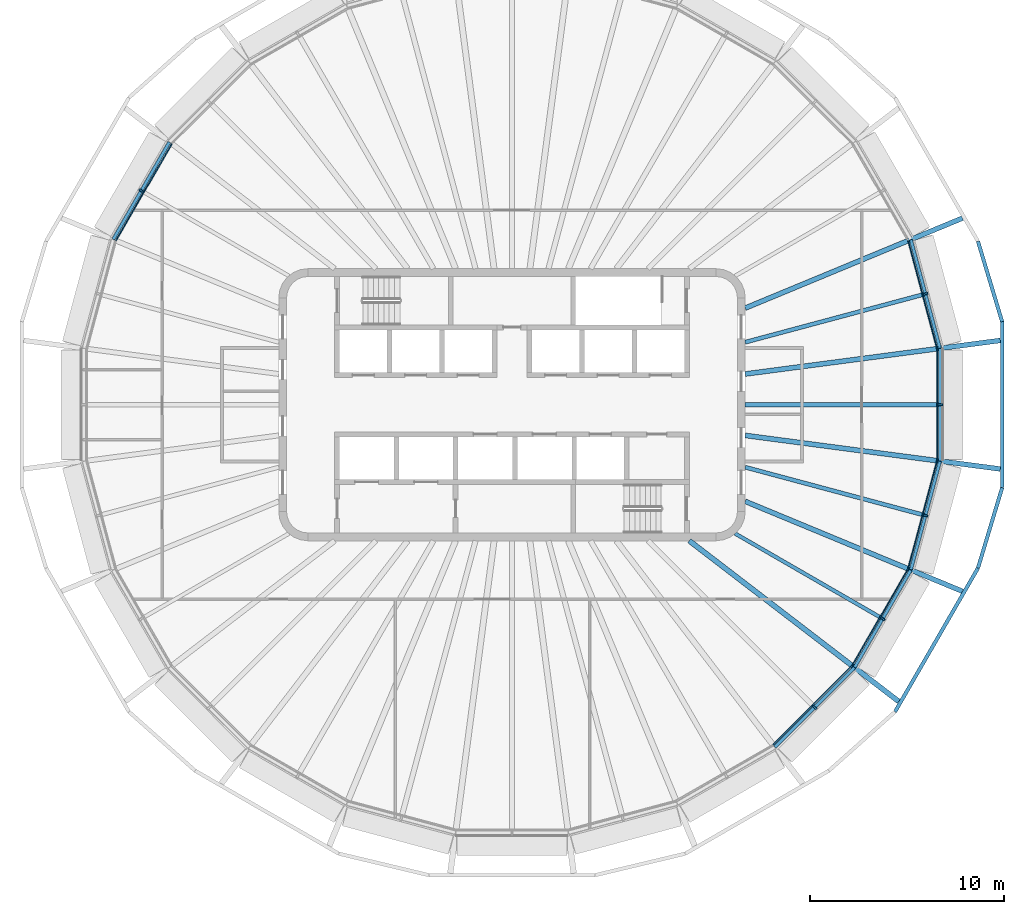
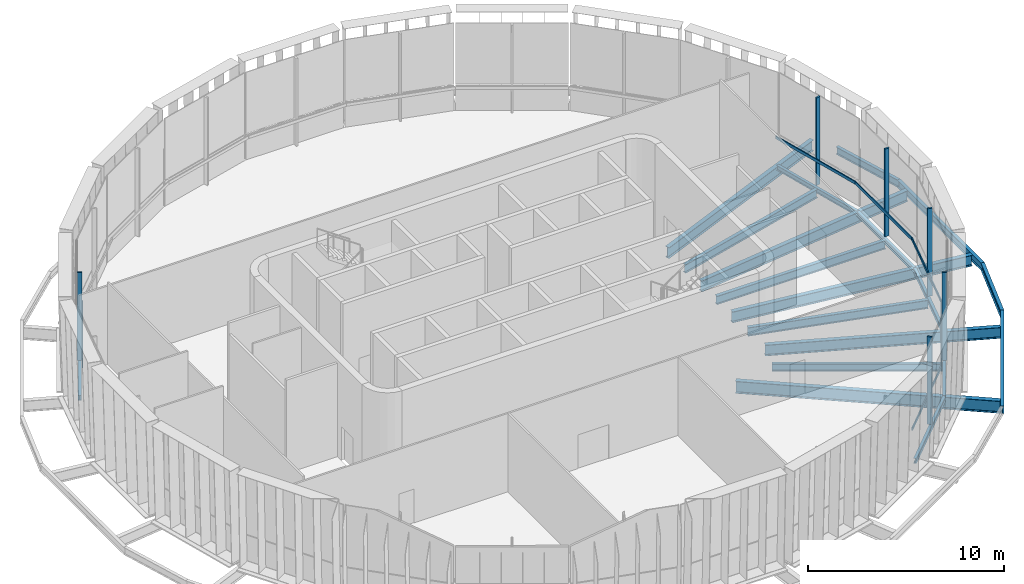
# One storey, part 3 of 14: 19 beams, 12 members, 6 elements without a shape of their own.
"""IFC4 building model written with IfcOpenShell, lengths in metres."""

from ifc_helpers import new_model, si_unit, direction, frame, origin, origin_2d, place, context, subcontext, project, spatial, rectangle, i_section, extrude, material, layer, layer_set, material_profile, profile_set, type_object, element, aggregate, save


model = new_model("IFC4")

# Units and contexts
model_context = context("Model", 3, precision=1e-05, world=origin(), true_north=direction((0.0, 1.0)))
body_context = subcontext(model_context, "Body", "Model", "MODEL_VIEW")
ifc_project = project(units=[si_unit("LENGTHUNIT", "METRE"), si_unit("AREAUNIT", "SQUARE_METRE"), si_unit("VOLUMEUNIT", "CUBIC_METRE"), si_unit("PLANEANGLEUNIT", "RADIAN"), si_unit("MASSUNIT", "GRAM", prefix="KILO")], contexts=[model_context])

# Site, building, storey
site_placement = place(None, origin())
site = spatial("IfcSite", under=ifc_project, at=site_placement, CompositionType="ELEMENT")
building_placement = place(site_placement, origin())
building = spatial("IfcBuilding", under=site, at=building_placement, Name="Sahrelin Media Tower", CompositionType="ELEMENT")
storey_placement = place(building_placement, frame((0.0, 0.0, 329.800048828125)))
storey = spatial("IfcBuildingStorey", under=building, at=storey_placement, Name="L73", CompositionType="ELEMENT", Elevation=329.800048828125)

# Beams
ifc_material_1 = material(Name="Steel S355", Category="steel")
ifc_material_profile_1 = material_profile(ifc_material_1, i_section(OverallWidth=0.1650390625, OverallDepth=0.303466796875, WebThickness=0.006103515625, FlangeThickness=0.01025390625, FilletRadius=0.0087890625, at=origin_2d()), Name="UB 305x165x40")
ifc_profile_set_1 = profile_set([ifc_material_profile_1], Name="Steel S355")
beam_type_1 = type_object("IfcBeamType", Name="Edge beam EB2", PredefinedType="BEAM", material=ifc_profile_set_1)
for number, where, z_axis, x_axis, name in (
    (1, (22.020751953125, 2.884521484375, -0.351806640625), (0.0, -1.0, 0.0), (1.0, 0.0, 0.0), "Edge beam L73-01"),
    (2, (22.01708984375, -2.9130859375, -0.351806640625), (-0.258821401611, -0.965925194861, 0.0), (0.965925194861, -0.258821401611, 0.0), "Edge beam L73-02"),
):
    element("IfcBeam", number, at=place(storey_placement, frame(where, z_axis=z_axis, x_axis=x_axis)), inside=storey, type_object=beam_type_1, Name=name, PredefinedType="BEAM", context=body_context, shape_type="SweptSolid", body=[
        extrude(i_section(OverallWidth=0.1650390625, OverallDepth=0.303466796875, WebThickness=0.006103515625, FlangeThickness=0.01025390625, FilletRadius=0.0087890625, at=origin_2d()), origin(), (0.0, 0.0, 1.0), 5.76904296875),
    ])
beam_1_placement = place(storey_placement, frame((20.512939453125, -8.51220703125, -0.351806640625), z_axis=(-0.499984979461, -0.866034075723, 0.0), x_axis=(0.866034075723, -0.499984979461, 0.0)))
element("IfcBeam", 3, at=beam_1_placement, inside=storey, type_object=beam_type_1, Name="Edge beam L73-03", PredefinedType="BEAM", context=body_context, shape_type="SweptSolid", body=[
    extrude(i_section(OverallWidth=0.1650390625, OverallDepth=0.303466796875, WebThickness=0.006103515625, FlangeThickness=0.01025390625, FilletRadius=0.0087890625, at=origin_2d()), origin(), (0.0, 0.0, 1.0), 5.769287109375),
])
beam_2_placement = place(storey_placement, frame((17.61083984375, -13.531494140625, -0.351806640625), z_axis=(-0.707106781187, -0.707106781187, 0.0), x_axis=(0.707106781187, -0.707106781187, 0.0)))
element("IfcBeam", 4, at=beam_2_placement, inside=storey, type_object=beam_type_1, Name="Edge beam L73-04", PredefinedType="BEAM", context=body_context, shape_type="SweptSolid", body=[
    extrude(i_section(OverallWidth=0.1650390625, OverallDepth=0.303466796875, WebThickness=0.006103515625, FlangeThickness=0.01025390625, FilletRadius=0.0087890625, at=origin_2d()), origin(), (0.0, 0.0, 1.0), 5.76904296875),
])
beam_3_placement = place(storey_placement, frame((-20.512939453125, 8.51220703125, -0.351806640625), z_axis=(0.499984979461, 0.866034075723, 0.0), x_axis=(-0.866034075723, 0.499984979461, 0.0)))
element("IfcBeam", 5, at=beam_3_placement, inside=storey, type_object=beam_type_1, Name="Edge beam L73-15", PredefinedType="BEAM", context=body_context, shape_type="SweptSolid", body=[
    extrude(i_section(OverallWidth=0.1650390625, OverallDepth=0.303466796875, WebThickness=0.006103515625, FlangeThickness=0.01025390625, FilletRadius=0.0087890625, at=origin_2d()), origin(), (0.0, 0.0, 1.0), 5.769287109375),
])
beam_4_placement = place(storey_placement, frame((20.52392578125, 8.485595703125, -0.351806640625), z_axis=(0.258821401611, -0.965925194861, 0.0), x_axis=(0.965925194861, 0.258821401611, 0.0)))
element("IfcBeam", 6, at=beam_4_placement, inside=storey, type_object=beam_type_1, Name="Edge beam L73-24", PredefinedType="BEAM", context=body_context, shape_type="SweptSolid", body=[
    extrude(i_section(OverallWidth=0.1650390625, OverallDepth=0.303466796875, WebThickness=0.006103515625, FlangeThickness=0.01025390625, FilletRadius=0.0087890625, at=origin_2d()), origin(), (0.0, 0.0, 1.0), 5.76904296875),
])

# Curtain wall, member
ifc_material_2 = material(Name="Champagne anodised aluminium 6063-T6", Category="aluminium")
ifc_layer = layer(ifc_material_2, 0.14990234375)
ifc_layer_set = layer_set([ifc_layer], Name="Observation curtain wall")
curtain_wall_type = type_object("IfcCurtainWallType", Name="Observation curtain wall", PredefinedType="NOTDEFINED", material=ifc_layer_set)
curtain_wall_1_placement = place(storey_placement, frame((22.1708984375, 0.0, 0.0), z_axis=(0.0, 0.0, 1.0), x_axis=(1.0, 0.0, 0.0)))
curtain_wall_1 = element("IfcCurtainWall", 7, at=curtain_wall_1_placement, inside=storey, type_object=curtain_wall_type, Name="L73:CW:L73-00", PredefinedType="NOTDEFINED")
ifc_material_profile_2 = material_profile(ifc_material_2, rectangle(XDim=0.10009765625, YDim=0.25, at=origin_2d()), Name="Mullion 100x250")
ifc_profile_set_2 = profile_set([ifc_material_profile_2], Name="Champagne anodised aluminium 6063-T6")
member_type_1 = type_object("IfcMemberType", Name="Mullion 100x250 CW3B", PredefinedType="MULLION", material=ifc_profile_set_2)
member_1_placement = place(storey_placement, frame((22.02587890625, 0.0, 0.0), z_axis=(0.0, 0.0, 1.0), x_axis=(0.0, 1.0, 0.0)))
member_1 = element("IfcMember", 8, at=member_1_placement, type_object=member_type_1, Name="L73:CWM:L73-00", PredefinedType="MULLION", context=body_context, shape_type="SweptSolid", body=[
    extrude(rectangle(XDim=0.10009765625, YDim=0.25, at=origin_2d()), origin(), (0.0, 0.0, 1.0), 5.448486328125),
])

curtain_wall_2_placement = place(storey_placement, frame((21.415283203125, 5.73828125, 0.0), z_axis=(0.0, 0.0, 1.0), x_axis=(1.0, 0.0, 0.0)))
curtain_wall_2 = element("IfcCurtainWall", 9, at=curtain_wall_2_placement, inside=storey, type_object=curtain_wall_type, Name="L73:CW:L73-01", PredefinedType="NOTDEFINED")
member_2_placement = place(storey_placement, frame((21.275390625, 5.70068359375, 0.0), z_axis=(0.0, 0.0, 1.0), x_axis=(-0.258817359244, 0.965926278012, 0.0)))
member_2 = element("IfcMember", 10, at=member_2_placement, type_object=member_type_1, Name="L73:CWM:L73-01", PredefinedType="MULLION", context=body_context, shape_type="SweptSolid", body=[
    extrude(rectangle(XDim=0.10009765625, YDim=0.25, at=origin_2d()), origin(), (0.0, 0.0, 1.0), 5.448486328125),
])

curtain_wall_3_placement = place(storey_placement, frame((-19.200439453125, 11.08544921875, 0.0), z_axis=(0.0, 0.0, 1.0), x_axis=(1.0, 0.0, 0.0)))
curtain_wall_3 = element("IfcCurtainWall", 11, at=curtain_wall_3_placement, inside=storey, type_object=curtain_wall_type, Name="L73:CW:L73-10", PredefinedType="NOTDEFINED")
member_3_placement = place(storey_placement, frame((-19.074951171875, 11.012939453125, 0.0), z_axis=(0.0, 0.0, 1.0), x_axis=(-0.49999395399, -0.866028894422, 0.0)))
member_3 = element("IfcMember", 12, at=member_3_placement, type_object=member_type_1, Name="L73:CWM:L73-10", PredefinedType="MULLION", context=body_context, shape_type="SweptSolid", body=[
    extrude(rectangle(XDim=0.10009765625, YDim=0.25, at=origin_2d()), origin(), (0.0, 0.0, 1.0), 5.448486328125),
])

curtain_wall_4_placement = place(storey_placement, frame((15.677001953125, -15.677001953125, 0.0), z_axis=(0.0, 0.0, 1.0), x_axis=(1.0, 0.0, 0.0)))
curtain_wall_4 = element("IfcCurtainWall", 13, at=curtain_wall_4_placement, inside=storey, type_object=curtain_wall_type, Name="L73:CW:L73-21", PredefinedType="NOTDEFINED")
member_4_placement = place(storey_placement, frame((15.57470703125, -15.57470703125, 0.0), z_axis=(0.0, 0.0, 1.0), x_axis=(0.707106781187, 0.707106781187, 0.0)))
member_4 = element("IfcMember", 14, at=member_4_placement, type_object=member_type_1, Name="L73:CWM:L73-21", PredefinedType="MULLION", context=body_context, shape_type="SweptSolid", body=[
    extrude(rectangle(XDim=0.10009765625, YDim=0.25, at=origin_2d()), origin(), (0.0, 0.0, 1.0), 5.448486328125),
])

curtain_wall_5_placement = place(storey_placement, frame((19.200439453125, -11.08544921875, 0.0), z_axis=(0.0, 0.0, 1.0), x_axis=(1.0, 0.0, 0.0)))
curtain_wall_5 = element("IfcCurtainWall", 15, at=curtain_wall_5_placement, inside=storey, type_object=curtain_wall_type, Name="L73:CW:L73-22", PredefinedType="NOTDEFINED")
member_5_placement = place(storey_placement, frame((19.074951171875, -11.012939453125, 0.0), z_axis=(0.0, 0.0, 1.0), x_axis=(0.49999395399, 0.866028894422, 0.0)))
member_5 = element("IfcMember", 16, at=member_5_placement, type_object=member_type_1, Name="L73:CWM:L73-22", PredefinedType="MULLION", context=body_context, shape_type="SweptSolid", body=[
    extrude(rectangle(XDim=0.10009765625, YDim=0.25, at=origin_2d()), origin(), (0.0, 0.0, 1.0), 5.448486328125),
])

curtain_wall_6_placement = place(storey_placement, frame((21.415283203125, -5.73828125, 0.0), z_axis=(0.0, 0.0, 1.0), x_axis=(1.0, 0.0, 0.0)))
curtain_wall_6 = element("IfcCurtainWall", 17, at=curtain_wall_6_placement, inside=storey, type_object=curtain_wall_type, Name="L73:CW:L73-23", PredefinedType="NOTDEFINED")
member_6_placement = place(storey_placement, frame((21.275390625, -5.70068359375, 0.0), z_axis=(0.0, 0.0, 1.0), x_axis=(0.258817359244, 0.965926278012, 0.0)))
member_6 = element("IfcMember", 18, at=member_6_placement, type_object=member_type_1, Name="L73:CWM:L73-23", PredefinedType="MULLION", context=body_context, shape_type="SweptSolid", body=[
    extrude(rectangle(XDim=0.10009765625, YDim=0.25, at=origin_2d()), origin(), (0.0, 0.0, 1.0), 5.448486328125),
])

# Beams
ifc_material_profile_3 = material_profile(ifc_material_1, i_section(OverallWidth=0.2529296875, OverallDepth=0.677978515625, WebThickness=0.01171875, FlangeThickness=0.01611328125, FilletRadius=0.01513671875, at=origin_2d()), Name="UB 686x254x125")
ifc_profile_set_3 = profile_set([ifc_material_profile_3], Name="Steel S355")
beam_type_2 = type_object("IfcBeamType", Name="Radial primary beam PB8", PredefinedType="BEAM", material=ifc_profile_set_3)
beam_5_placement = place(storey_placement, frame((12.0, 1.579833984375, -0.5390625), z_axis=(0.991445315132, 0.130522745537, 0.0), x_axis=(-0.130522745537, 0.991445315132, 0.0)))
element("IfcBeam", 19, at=beam_5_placement, inside=storey, type_object=beam_type_2, Name="Radial beam L73-01", PredefinedType="BEAM", context=body_context, shape_type="SweptSolid", body=[
    extrude(i_section(OverallWidth=0.2529296875, OverallDepth=0.677978515625, WebThickness=0.01171875, FlangeThickness=0.01611328125, FilletRadius=0.01513671875, at=origin_2d()), origin(), (0.0, 0.0, 1.0), 13.235595703125),
])
for number, where, z_axis, x_axis, name in (
    (20, (12.0, 4.970703125, -0.5390625), (0.923883491489, 0.382673874408, 0.0), (-0.382673874408, 0.923883491489, 0.0), "Radial beam L73-02"),
    (21, (12.0, -4.970703125, -0.5390625), (0.923883491489, -0.382673874408, 0.0), (0.382673874408, 0.923883491489, 0.0), "Radial beam L73-23"),
):
    element("IfcBeam", number, at=place(storey_placement, frame(where, z_axis=z_axis, x_axis=x_axis)), inside=storey, type_object=beam_type_2, Name=name, PredefinedType="BEAM", context=body_context, shape_type="SweptSolid", body=[
        extrude(i_section(OverallWidth=0.2529296875, OverallDepth=0.677978515625, WebThickness=0.01171875, FlangeThickness=0.01611328125, FilletRadius=0.01513671875, at=origin_2d()), origin(), (0.0, 0.0, 1.0), 12.094970703125),
    ])
beam_6_placement = place(storey_placement, frame((12.0, -1.579833984375, -0.5390625), z_axis=(0.991445315132, -0.130522745537, 0.0), x_axis=(0.130522745537, 0.991445315132, 0.0)))
element("IfcBeam", 22, at=beam_6_placement, inside=storey, type_object=beam_type_2, Name="Radial beam L73-24", PredefinedType="BEAM", context=body_context, shape_type="SweptSolid", body=[
    extrude(i_section(OverallWidth=0.2529296875, OverallDepth=0.677978515625, WebThickness=0.01171875, FlangeThickness=0.01611328125, FilletRadius=0.01513671875, at=origin_2d()), origin(), (0.0, 0.0, 1.0), 13.235595703125),
])
ifc_material_profile_4 = material_profile(ifc_material_1, i_section(OverallWidth=0.26513671875, OverallDepth=0.75390625, WebThickness=0.0126953125, FlangeThickness=0.017578125, FilletRadius=0.0166015625, at=origin_2d()), Name="UB 762x267x147")
ifc_profile_set_4 = profile_set([ifc_material_profile_4], Name="Steel S355")
beam_type_3 = type_object("IfcBeamType", Name="Radial primary beam PB9", PredefinedType="BEAM", material=ifc_profile_set_4)
beam_7_placement = place(storey_placement, frame((9.12255859375, -7.0, -0.5771484375), z_axis=(0.793356961432, -0.608756709817, 0.0), x_axis=(0.608756709817, 0.793356961432, 0.0)))
element("IfcBeam", 23, at=beam_7_placement, inside=storey, type_object=beam_type_3, Name="Radial beam L73-22", PredefinedType="BEAM", context=body_context, shape_type="SweptSolid", body=[
    extrude(i_section(OverallWidth=0.26513671875, OverallDepth=0.75390625, WebThickness=0.0126953125, FlangeThickness=0.017578125, FilletRadius=0.0166015625, at=origin_2d()), origin(), (0.0, 0.0, 1.0), 13.585205078125),
])
ifc_material_profile_5 = material_profile(ifc_material_1, i_section(OverallWidth=0.1904296875, OverallDepth=0.45703125, WebThickness=0.009033203125, FlangeThickness=0.014404296875, FilletRadius=0.01025390625, at=origin_2d()), Name="UB 457x191x74")
ifc_profile_set_5 = profile_set([ifc_material_profile_5], Name="Steel S355")
beam_type_4 = type_object("IfcBeamType", Name="Radial secondary beam SB5", PredefinedType="BEAM", material=ifc_profile_set_5)
beam_8_placement = place(storey_placement, frame((11.47607421875, -6.625732421875, -0.428466796875), z_axis=(0.866038163853, -0.499977898262, 0.0), x_axis=(0.499977898262, 0.866038163853, 0.0)))
element("IfcBeam", 24, at=beam_8_placement, inside=storey, type_object=beam_type_4, Name="Secondary beam L73-22", PredefinedType="BEAM", context=body_context, shape_type="SweptSolid", body=[
    extrude(i_section(OverallWidth=0.1904296875, OverallDepth=0.45703125, WebThickness=0.009033203125, FlangeThickness=0.014404296875, FilletRadius=0.01025390625, at=origin_2d()), origin(), (0.0, 0.0, 1.0), 8.68701171875),
])
ifc_material_profile_6 = material_profile(ifc_material_1, i_section(OverallWidth=0.208740234375, OverallDepth=0.5283203125, WebThickness=0.009521484375, FlangeThickness=0.01318359375, FilletRadius=0.0126953125, at=origin_2d()), Name="UB 533x210x82")
ifc_profile_set_6 = profile_set([ifc_material_profile_6], Name="Steel S355")
beam_type_5 = type_object("IfcBeamType", Name="Radial secondary beam SB6", PredefinedType="BEAM", material=ifc_profile_set_6)
for number, where, z_axis, x_axis, name in (
    (25, (12.0, 3.21533203125, -0.464111328125), (0.965927207315, 0.258813890989, 0.0), (-0.258813890989, 0.965927207315, 0.0), "Secondary beam L73-01"),
    (26, (12.0, -3.21533203125, -0.464111328125), (0.965927207315, -0.258813890989, 0.0), (0.258813890989, 0.965927207315, 0.0), "Secondary beam L73-23"),
):
    element("IfcBeam", number, at=place(storey_placement, frame(where, z_axis=z_axis, x_axis=x_axis)), inside=storey, type_object=beam_type_5, Name=name, PredefinedType="BEAM", context=body_context, shape_type="SweptSolid", body=[
        extrude(i_section(OverallWidth=0.208740234375, OverallDepth=0.5283203125, WebThickness=0.009521484375, FlangeThickness=0.01318359375, FilletRadius=0.0126953125, at=origin_2d()), origin(), (0.0, 0.0, 1.0), 9.51513671875),
    ])
beam_9_placement = place(storey_placement, frame((12.0, 0.0, -0.464111328125), z_axis=(1.0, 0.0, 0.0), x_axis=(0.0, 1.0, 0.0)))
element("IfcBeam", 27, at=beam_9_placement, inside=storey, type_object=beam_type_5, Name="Secondary beam L73-24", PredefinedType="BEAM", context=body_context, shape_type="SweptSolid", body=[
    extrude(i_section(OverallWidth=0.208740234375, OverallDepth=0.5283203125, WebThickness=0.009521484375, FlangeThickness=0.01318359375, FilletRadius=0.0126953125, at=origin_2d()), origin(), (0.0, 0.0, 1.0), 9.938232421875),
])
ifc_material_profile_7 = material_profile(ifc_material_1, i_section(OverallWidth=0.1904296875, OverallDepth=0.45703125, WebThickness=0.009033203125, FlangeThickness=0.014404296875, FilletRadius=0.01025390625, at=origin_2d()), Name="UB 457x191x74")
ifc_profile_set_7 = profile_set([ifc_material_profile_7], Name="Steel S355")
beam_type_6 = type_object("IfcBeamType", Name="Tie chord TC5", PredefinedType="BEAM", material=ifc_profile_set_7)
beam_10_placement = place(storey_placement, frame((25.217529296875, 4.269287109375, -0.428466796875), z_axis=(-0.288006438114, 0.957628472637, 0.0), x_axis=(-0.957628472637, -0.288006438114, 0.0)))
element("IfcBeam", 28, at=beam_10_placement, inside=storey, type_object=beam_type_6, Name="Tie chord L73-01", PredefinedType="BEAM", context=body_context, shape_type="SweptSolid", body=[
    extrude(i_section(OverallWidth=0.1904296875, OverallDepth=0.45703125, WebThickness=0.009033203125, FlangeThickness=0.014404296875, FilletRadius=0.01025390625, at=origin_2d()), origin(), (0.0, 0.0, 1.0), 4.319091796875),
])
beam_11_placement = place(storey_placement, frame((19.704345703125, -15.800048828125, -0.428466796875), z_axis=(0.499992230683, 0.866029889355, 0.0), x_axis=(-0.866029889355, 0.499992230683, 0.0)))
element("IfcBeam", 29, at=beam_11_placement, inside=storey, type_object=beam_type_6, Name="Tie chord L73-22", PredefinedType="BEAM", context=body_context, shape_type="SweptSolid", body=[
    extrude(i_section(OverallWidth=0.1904296875, OverallDepth=0.45703125, WebThickness=0.009033203125, FlangeThickness=0.014404296875, FilletRadius=0.01025390625, at=origin_2d()), origin(), (0.0, 0.0, 1.0), 8.538818359375),
])
beam_12_placement = place(storey_placement, frame((23.9736328125, -8.4052734375, -0.428466796875), z_axis=(0.288006438114, 0.957628472637, 0.0), x_axis=(-0.957628472637, 0.288006438114, 0.0)))
element("IfcBeam", 30, at=beam_12_placement, inside=storey, type_object=beam_type_6, Name="Tie chord L73-23", PredefinedType="BEAM", context=body_context, shape_type="SweptSolid", body=[
    extrude(i_section(OverallWidth=0.1904296875, OverallDepth=0.45703125, WebThickness=0.009033203125, FlangeThickness=0.014404296875, FilletRadius=0.01025390625, at=origin_2d()), origin(), (0.0, 0.0, 1.0), 4.319091796875),
])
beam_13_placement = place(storey_placement, frame((25.217529296875, -4.269287109375, -0.428466796875), z_axis=(0.0, 1.0, 0.0), x_axis=(-1.0, 0.0, 0.0)))
element("IfcBeam", 31, at=beam_13_placement, inside=storey, type_object=beam_type_6, Name="Tie chord L73-24", PredefinedType="BEAM", context=body_context, shape_type="SweptSolid", body=[
    extrude(i_section(OverallWidth=0.1904296875, OverallDepth=0.45703125, WebThickness=0.009033203125, FlangeThickness=0.014404296875, FilletRadius=0.01025390625, at=origin_2d()), origin(), (0.0, 0.0, 1.0), 8.53857421875),
])

# Member
ifc_material_profile_8 = material_profile(ifc_material_2, rectangle(XDim=0.06005859375, YDim=0.179931640625, at=origin_2d()), Name="Transom 60x180")
ifc_profile_set_8 = profile_set([ifc_material_profile_8], Name="Champagne anodised aluminium 6063-T6")
member_type_2 = type_object("IfcMemberType", Name="Transom 60x180 CW3B", PredefinedType="USERDEFINED", material=ifc_profile_set_8)
member_7_placement = place(storey_placement, frame((21.870849609375, -2.868896484375, 1.599853515625), z_axis=(0.0, 1.0, 0.0), x_axis=(-1.0, 0.0, 0.0)))
member_7 = element("IfcMember", 32, at=member_7_placement, type_object=member_type_2, Name="L73:CWT:L73-00", ObjectType="TRANSOM", PredefinedType="USERDEFINED", context=body_context, shape_type="SweptSolid", body=[
    extrude(rectangle(XDim=0.06005859375, YDim=0.179931640625, at=origin_2d()), origin(), (0.0, 0.0, 1.0), 5.73779296875),
])

aggregate(curtain_wall_1, [member_1, member_7])

member_8_placement = place(storey_placement, frame((21.8681640625, 2.889404296875, 1.599853515625), z_axis=(-0.258830374631, 0.96592279048, 0.0), x_axis=(-0.96592279048, -0.258830374631, 0.0)))
member_8 = element("IfcMember", 33, at=member_8_placement, type_object=member_type_2, Name="L73:CWT:L73-01", ObjectType="TRANSOM", PredefinedType="USERDEFINED", context=body_context, shape_type="SweptSolid", body=[
    extrude(rectangle(XDim=0.06005859375, YDim=0.179931640625, at=origin_2d()), origin(), (0.0, 0.0, 1.0), 5.73779296875),
])

aggregate(curtain_wall_2, [member_2, member_8])

member_9_placement = place(storey_placement, frame((-17.50634765625, 13.419921875, 1.599853515625), z_axis=(-0.49997414913, -0.866040328277, 0.0), x_axis=(0.866040328277, -0.49997414913, 0.0)))
member_9 = element("IfcMember", 34, at=member_9_placement, type_object=member_type_2, Name="L73:CWT:L73-10", ObjectType="TRANSOM", PredefinedType="USERDEFINED", context=body_context, shape_type="SweptSolid", body=[
    extrude(rectangle(XDim=0.06005859375, YDim=0.179931640625, at=origin_2d()), origin(), (0.0, 0.0, 1.0), 5.737548828125),
])

aggregate(curtain_wall_3, [member_3, member_9])

member_10_placement = place(storey_placement, frame((13.436279296875, -17.49365234375, 1.599853515625), z_axis=(0.707106781187, 0.707106781187, 0.0), x_axis=(-0.707106781187, 0.707106781187, 0.0)))
member_10 = element("IfcMember", 35, at=member_10_placement, type_object=member_type_2, Name="L73:CWT:L73-21", ObjectType="TRANSOM", PredefinedType="USERDEFINED", context=body_context, shape_type="SweptSolid", body=[
    extrude(rectangle(XDim=0.06005859375, YDim=0.179931640625, at=origin_2d()), origin(), (0.0, 0.0, 1.0), 5.738037109375),
])

aggregate(curtain_wall_4, [member_4, member_10])

member_11_placement = place(storey_placement, frame((17.50634765625, -13.419921875, 1.599853515625), z_axis=(0.49997414913, 0.866040328277, 0.0), x_axis=(-0.866040328277, 0.49997414913, 0.0)))
member_11 = element("IfcMember", 36, at=member_11_placement, type_object=member_type_2, Name="L73:CWT:L73-22", ObjectType="TRANSOM", PredefinedType="USERDEFINED", context=body_context, shape_type="SweptSolid", body=[
    extrude(rectangle(XDim=0.06005859375, YDim=0.179931640625, at=origin_2d()), origin(), (0.0, 0.0, 1.0), 5.737548828125),
])

aggregate(curtain_wall_5, [member_5, member_11])

member_12_placement = place(storey_placement, frame((20.383056640625, -8.431640625, 1.599853515625), z_axis=(0.258830374631, 0.96592279048, 0.0), x_axis=(-0.96592279048, 0.258830374631, 0.0)))
member_12 = element("IfcMember", 37, at=member_12_placement, type_object=member_type_2, Name="L73:CWT:L73-23", ObjectType="TRANSOM", PredefinedType="USERDEFINED", context=body_context, shape_type="SweptSolid", body=[
    extrude(rectangle(XDim=0.06005859375, YDim=0.179931640625, at=origin_2d()), origin(), (0.0, 0.0, 1.0), 5.73779296875),
])

aggregate(curtain_wall_6, [member_6, member_12])

save(model, "model.ifc")
